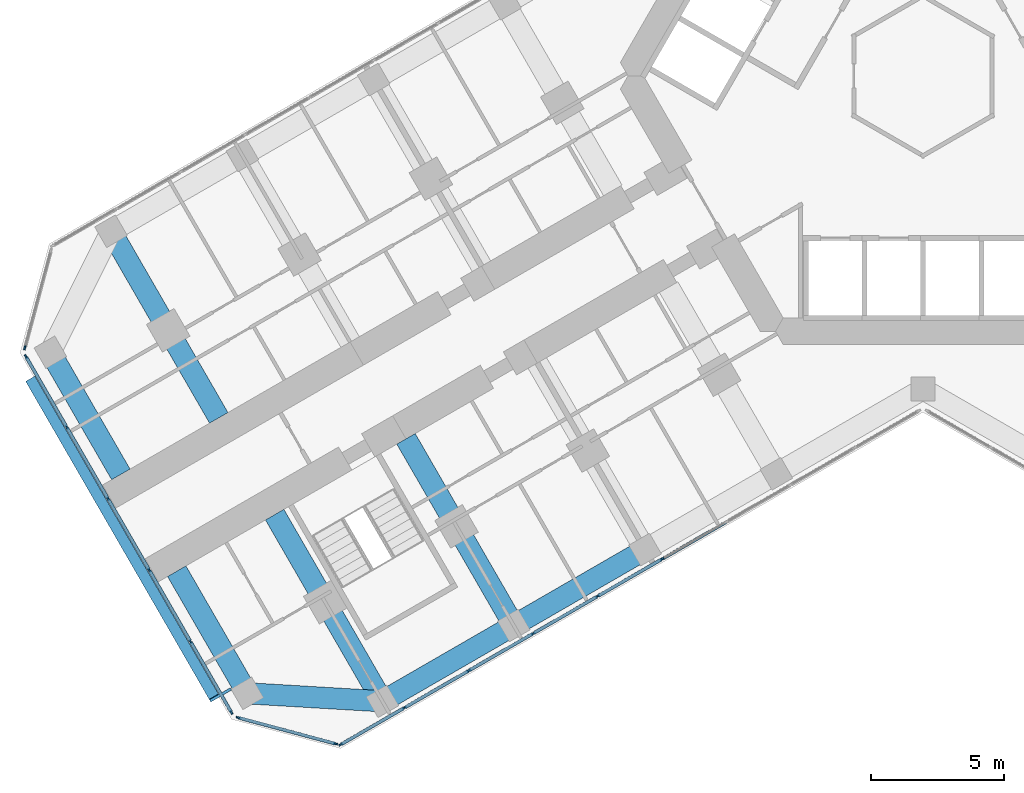
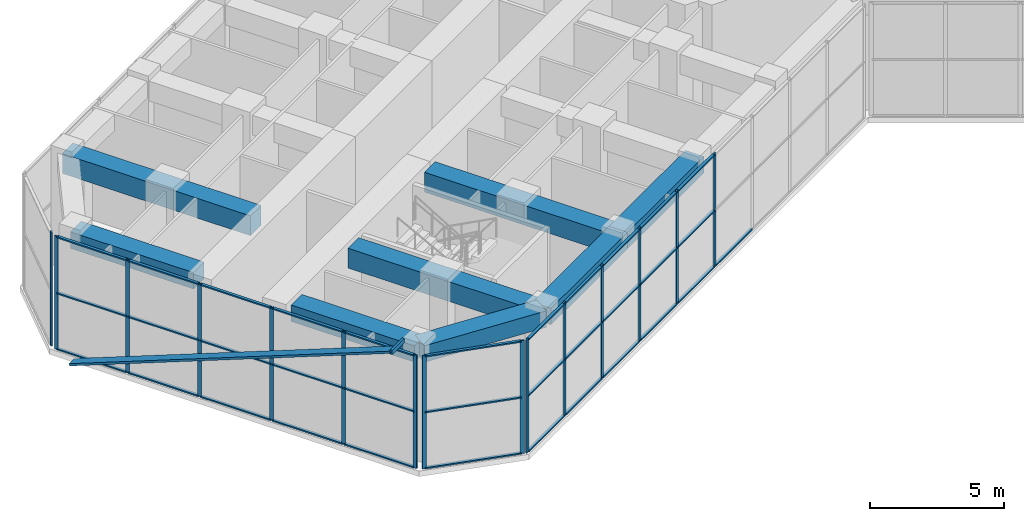
# One storey, part 2 of 23: 51 members, 8 beams, 4 elements without a shape of their own.
"""IFC4 building model written with IfcOpenShell, lengths in metres."""

from ifc_helpers import new_model, si_unit, direction, frame, origin, origin_2d, place, context, subcontext, project, spatial, rectangle, hollow_rectangle, extrude, material, material_profile, profile_set, type_object, element, aggregate, save


model = new_model("IFC4")

# Units and contexts
model_context = context("Model", 3, precision=1e-05, world=origin(), true_north=direction((0.0, 1.0)))
body_context = subcontext(model_context, "Body", "Model", "MODEL_VIEW")
ifc_project = project(units=[si_unit("LENGTHUNIT", "METRE"), si_unit("AREAUNIT", "SQUARE_METRE"), si_unit("VOLUMEUNIT", "CUBIC_METRE"), si_unit("PLANEANGLEUNIT", "RADIAN"), si_unit("MASSUNIT", "GRAM", prefix="KILO")], contexts=[model_context])

# Site, building, storey
site_placement = place(None, origin())
site = spatial("IfcSite", under=ifc_project, at=site_placement, CompositionType="ELEMENT")
building_placement = place(site_placement, origin())
building = spatial("IfcBuilding", under=site, at=building_placement, Name="Kosmar Iwan School Tower", CompositionType="ELEMENT")
storey_placement = place(building_placement, frame((0.0, 0.0, 75.39990234375)))
storey = spatial("IfcBuildingStorey", under=building, at=storey_placement, Name="L18", CompositionType="ELEMENT", Elevation=75.39990234375)

# Members
ifc_material_1 = material(Name="Black anodised aluminium", Category="aluminium")
ifc_material_profile_1 = material_profile(ifc_material_1, rectangle(XDim=0.10009765625, YDim=0.39990234375, at=origin_2d()), Name="FIN 100x400")
ifc_profile_set_1 = profile_set([ifc_material_profile_1], Name="Black anodised aluminium")
member_type_1 = type_object("IfcMemberType", Name="Diagonal fin 100x400", PredefinedType="USERDEFINED", material=ifc_profile_set_1)
member_1_placement = place(storey_placement, frame((-33.54345703125, -11.40087890625, -0.14990234375), z_axis=(0.465600718069, -0.806459003444, 0.364472011405), x_axis=(-0.182233479836, 0.315643479142, 0.931214343157)))
element("IfcMember", 1, at=member_1_placement, inside=storey, type_object=member_type_1, Name="Diagonal fin L18-F13", ObjectType="FIN", PredefinedType="USERDEFINED", context=body_context, shape_type="SweptSolid", body=[
    extrude(rectangle(XDim=0.10009765625, YDim=0.39990234375, at=origin_2d()), origin(), (0.0, 0.0, 1.0), 14.815673828125),
])
ifc_material_2 = material(Name="Steel S355", Category="steel")
ifc_material_profile_2 = material_profile(ifc_material_2, hollow_rectangle(XDim=0.10009765625, YDim=0.199951171875, WallThickness=0.008056640625, at=origin_2d()), Name="RHS 200x100x8")
ifc_profile_set_2 = profile_set([ifc_material_profile_2], Name="Steel S355")
member_type_2 = type_object("IfcMemberType", Name="Fin bracket RHS 200x100", PredefinedType="USERDEFINED", material=ifc_profile_set_2)
member_2_placement = place(storey_placement, frame((-26.01318359375, -23.0439453125, 5.275146484375), z_axis=(-0.866013897511, -0.50001992892, 0.0), x_axis=(0.50001992892, -0.866013897511, 0.0)))
element("IfcMember", 2, at=member_2_placement, inside=storey, type_object=member_type_2, Name="Fin bracket L19", ObjectType="FIN BRACKET", PredefinedType="USERDEFINED", context=body_context, shape_type="SweptSolid", body=[
    extrude(hollow_rectangle(XDim=0.10009765625, YDim=0.199951171875, WallThickness=0.008056640625, at=origin_2d()), origin(), (0.0, 0.0, 1.0), 0.89990234375),
])

# Curtain wall, members
ifc_material_3 = material(Name="Dark glass in black aluminium frame", Category="aluminium")
curtain_wall_type_1 = type_object("IfcCurtainWallType", Name="Winter garden curtain wall", PredefinedType="USERDEFINED", material=ifc_material_3)
curtain_wall_1_placement = place(storey_placement, origin())
curtain_wall_1 = element("IfcCurtainWall", 3, at=curtain_wall_1_placement, inside=storey, type_object=curtain_wall_type_1, Name="Curtain wall L18-F00", ObjectType="WINTER GARDEN CURTAIN WALL", PredefinedType="USERDEFINED")
ifc_material_4 = material(Name="Black anodised aluminium", Category="aluminium")
ifc_material_profile_3 = material_profile(ifc_material_4, rectangle(XDim=0.06005859375, YDim=0.159912109375, at=origin_2d()), Name="MULLION 60x160")
ifc_profile_set_3 = profile_set([ifc_material_profile_3], Name="Black anodised aluminium")
member_type_3 = type_object("IfcMemberType", Name="Mullion 60x160", PredefinedType="MULLION", material=ifc_profile_set_3)
member_3_placement = place(storey_placement, frame((-9.81396484375, -18.165771484375, 0.0), z_axis=(0.0, 0.0, 1.0), x_axis=(0.500000014888, -0.866025395189, 0.0)))
member_3 = element("IfcMember", 4, at=member_3_placement, type_object=member_type_3, Name="CW7 mullion 5", PredefinedType="MULLION", context=body_context, shape_type="SweptSolid", body=[
    extrude(rectangle(XDim=0.06005859375, YDim=0.159912109375, at=origin_2d()), origin(), (0.0, 0.0, 1.0), 5.150146484375),
])
member_4_placement = place(storey_placement, frame((-12.23291015625, -19.562255859375, 0.0), z_axis=(0.0, 0.0, 1.0), x_axis=(0.500000014888, -0.866025395189, 0.0)))
member_4 = element("IfcMember", 5, at=member_4_placement, type_object=member_type_3, Name="CW7 mullion 6", PredefinedType="MULLION", context=body_context, shape_type="SweptSolid", body=[
    extrude(rectangle(XDim=0.06005859375, YDim=0.159912109375, at=origin_2d()), origin(), (0.0, 0.0, 1.0), 5.150146484375),
])
member_5_placement = place(storey_placement, frame((-14.652099609375, -20.958984375, 0.0), z_axis=(0.0, 0.0, 1.0), x_axis=(0.500000014888, -0.866025395189, 0.0)))
member_5 = element("IfcMember", 6, at=member_5_placement, type_object=member_type_3, Name="CW7 mullion 7", PredefinedType="MULLION", context=body_context, shape_type="SweptSolid", body=[
    extrude(rectangle(XDim=0.06005859375, YDim=0.159912109375, at=origin_2d()), origin(), (0.0, 0.0, 1.0), 5.150146484375),
])
member_6_placement = place(storey_placement, frame((-17.071044921875, -22.35546875, 0.0), z_axis=(0.0, 0.0, 1.0), x_axis=(0.500000014888, -0.866025395189, 0.0)))
member_6 = element("IfcMember", 7, at=member_6_placement, type_object=member_type_3, Name="CW7 mullion 8", PredefinedType="MULLION", context=body_context, shape_type="SweptSolid", body=[
    extrude(rectangle(XDim=0.06005859375, YDim=0.159912109375, at=origin_2d()), origin(), (0.0, 0.0, 1.0), 5.150146484375),
])
member_7_placement = place(storey_placement, frame((-19.489990234375, -23.752197265625, 0.0), z_axis=(0.0, 0.0, 1.0), x_axis=(0.500000014888, -0.866025395189, 0.0)))
member_7 = element("IfcMember", 8, at=member_7_placement, type_object=member_type_3, Name="CW7 mullion 9", PredefinedType="MULLION", context=body_context, shape_type="SweptSolid", body=[
    extrude(rectangle(XDim=0.06005859375, YDim=0.159912109375, at=origin_2d()), origin(), (0.0, 0.0, 1.0), 5.150146484375),
])
member_8_placement = place(storey_placement, frame((-21.883056640625, -25.1337890625, 0.0), z_axis=(0.0, 0.0, 1.0), x_axis=(0.500000014888, -0.866025395189, 0.0)))
member_8 = element("IfcMember", 9, at=member_8_placement, type_object=member_type_3, Name="CW7 mullion 10", PredefinedType="MULLION", context=body_context, shape_type="SweptSolid", body=[
    extrude(rectangle(XDim=0.06005859375, YDim=0.159912109375, at=origin_2d()), origin(), (0.0, 0.0, 1.0), 5.150146484375),
])

# Curtain wall, member
ifc_material_5 = material(Name="Dark glass in black aluminium frame", Category="aluminium")
curtain_wall_type_2 = type_object("IfcCurtainWallType", Name="Chamfer curtain wall dark glass", PredefinedType="USERDEFINED", material=ifc_material_5)
curtain_wall_2_placement = place(storey_placement, origin())
curtain_wall_2 = element("IfcCurtainWall", 10, at=curtain_wall_2_placement, inside=storey, type_object=curtain_wall_type_2, Name="Curtain wall L18-F12", ObjectType="FACETED CURTAIN WALL", PredefinedType="USERDEFINED")
member_9_placement = place(storey_placement, frame((-33.7587890625, -10.2236328125, 0.0), z_axis=(0.0, 0.0, 1.0), x_axis=(0.965925875495, -0.258818861462, 0.0)))
member_9 = element("IfcMember", 11, at=member_9_placement, type_object=member_type_3, Name="CW2 mullion 2", PredefinedType="MULLION", context=body_context, shape_type="SweptSolid", body=[
    extrude(rectangle(XDim=0.06005859375, YDim=0.159912109375, at=origin_2d()), origin(), (0.0, 0.0, 1.0), 5.150146484375),
])
aggregate(curtain_wall_2, [member_9])

# Curtain wall, members
ifc_material_6 = material(Name="Dark glass in black aluminium frame", Category="aluminium")
curtain_wall_type_3 = type_object("IfcCurtainWallType", Name="Tower curtain wall dark glass", PredefinedType="USERDEFINED", material=ifc_material_6)
curtain_wall_3_placement = place(storey_placement, origin())
curtain_wall_3 = element("IfcCurtainWall", 12, at=curtain_wall_3_placement, inside=storey, type_object=curtain_wall_type_3, Name="Curtain wall L18-F13", ObjectType="UNITISED CURTAIN WALL", PredefinedType="USERDEFINED")
member_10_placement = place(storey_placement, frame((-33.71533203125, -10.55322265625, 0.0), z_axis=(0.0, 0.0, 1.0), x_axis=(0.866025405329, 0.499999997325, 0.0)))
member_10 = element("IfcMember", 13, at=member_10_placement, type_object=member_type_3, Name="CW1 mullion 1", PredefinedType="MULLION", context=body_context, shape_type="SweptSolid", body=[
    extrude(rectangle(XDim=0.06005859375, YDim=0.159912109375, at=origin_2d()), origin(), (0.0, 0.0, 1.0), 5.150146484375),
])
member_11_placement = place(storey_placement, frame((-32.1806640625, -13.21142578125, 0.0), z_axis=(0.0, 0.0, 1.0), x_axis=(0.866025405329, 0.499999997325, 0.0)))
member_11 = element("IfcMember", 14, at=member_11_placement, type_object=member_type_3, Name="CW1 mullion 2", PredefinedType="MULLION", context=body_context, shape_type="SweptSolid", body=[
    extrude(rectangle(XDim=0.06005859375, YDim=0.159912109375, at=origin_2d()), origin(), (0.0, 0.0, 1.0), 5.150146484375),
])
member_12_placement = place(storey_placement, frame((-30.631103515625, -15.8955078125, 0.0), z_axis=(0.0, 0.0, 1.0), x_axis=(0.866025405329, 0.499999997325, 0.0)))
member_12 = element("IfcMember", 15, at=member_12_placement, type_object=member_type_3, Name="CW1 mullion 3", PredefinedType="MULLION", context=body_context, shape_type="SweptSolid", body=[
    extrude(rectangle(XDim=0.06005859375, YDim=0.159912109375, at=origin_2d()), origin(), (0.0, 0.0, 1.0), 5.150146484375),
])
member_13_placement = place(storey_placement, frame((-29.081298828125, -18.57958984375, 0.0), z_axis=(0.0, 0.0, 1.0), x_axis=(0.866025405329, 0.499999997325, 0.0)))
member_13 = element("IfcMember", 16, at=member_13_placement, type_object=member_type_3, Name="CW1 mullion 4", PredefinedType="MULLION", context=body_context, shape_type="SweptSolid", body=[
    extrude(rectangle(XDim=0.06005859375, YDim=0.159912109375, at=origin_2d()), origin(), (0.0, 0.0, 1.0), 5.150146484375),
])
member_14_placement = place(storey_placement, frame((-27.53173828125, -21.263671875, 0.0), z_axis=(0.0, 0.0, 1.0), x_axis=(0.866025405329, 0.499999997325, 0.0)))
member_14 = element("IfcMember", 17, at=member_14_placement, type_object=member_type_3, Name="CW1 mullion 5", PredefinedType="MULLION", context=body_context, shape_type="SweptSolid", body=[
    extrude(rectangle(XDim=0.06005859375, YDim=0.159912109375, at=origin_2d()), origin(), (0.0, 0.0, 1.0), 5.150146484375),
])
member_15_placement = place(storey_placement, frame((-25.9970703125, -23.921630859375, 0.0), z_axis=(0.0, 0.0, 1.0), x_axis=(0.866025405329, 0.499999997325, 0.0)))
member_15 = element("IfcMember", 18, at=member_15_placement, type_object=member_type_3, Name="CW1 mullion 6", PredefinedType="MULLION", context=body_context, shape_type="SweptSolid", body=[
    extrude(rectangle(XDim=0.06005859375, YDim=0.159912109375, at=origin_2d()), origin(), (0.0, 0.0, 1.0), 5.150146484375),
])

curtain_wall_4_placement = place(storey_placement, origin())
curtain_wall_4 = element("IfcCurtainWall", 19, at=curtain_wall_4_placement, inside=storey, type_object=curtain_wall_type_2, Name="Curtain wall L18-F14", ObjectType="FACETED CURTAIN WALL", PredefinedType="USERDEFINED")
member_16_placement = place(storey_placement, frame((-25.733154296875, -24.124267578125, 0.0), z_axis=(0.0, 0.0, 1.0), x_axis=(0.258818861462, 0.965925875495, 0.0)))
member_16 = element("IfcMember", 20, at=member_16_placement, type_object=member_type_3, Name="CW2 mullion 1", PredefinedType="MULLION", context=body_context, shape_type="SweptSolid", body=[
    extrude(rectangle(XDim=0.06005859375, YDim=0.159912109375, at=origin_2d()), origin(), (0.0, 0.0, 1.0), 5.150146484375),
])
member_17_placement = place(storey_placement, frame((-22.0830078125, -25.102294921875, 0.0), z_axis=(0.0, 0.0, 1.0), x_axis=(0.258818861462, 0.965925875495, 0.0)))
member_17 = element("IfcMember", 21, at=member_17_placement, type_object=member_type_3, Name="CW2 mullion 2", PredefinedType="MULLION", context=body_context, shape_type="SweptSolid", body=[
    extrude(rectangle(XDim=0.06005859375, YDim=0.159912109375, at=origin_2d()), origin(), (0.0, 0.0, 1.0), 5.150146484375),
])

# Beams
ifc_material_7 = material(Name="Concrete C50/60", Category="concrete")
ifc_material_profile_4 = material_profile(ifc_material_7, rectangle(XDim=0.800048828125, YDim=0.75, at=origin_2d()), Name="RC 800x750")
ifc_profile_set_4 = profile_set([ifc_material_profile_4], Name="Concrete C50/60")
beam_type_1 = type_object("IfcBeamType", Name="RC edge beam 800x750", PredefinedType="BEAM", material=ifc_profile_set_4)
beam_1_placement = place(storey_placement, frame((-10.445068359375, -17.808349609375, 4.775146484375), z_axis=(-0.866025820012, -0.499999279071, 0.0), x_axis=(0.499999279071, -0.866025820012, 0.0)))
element("IfcBeam", 22, at=beam_1_placement, inside=storey, type_object=beam_type_1, Name="Edge beam BL3", PredefinedType="BEAM", context=body_context, shape_type="SweptSolid", body=[
    extrude(rectangle(XDim=0.800048828125, YDim=0.75, at=origin_2d()), origin(), (0.0, 0.0, 1.0), 5.7001953125),
])
beam_2_placement = place(storey_placement, frame((-15.381591796875, -20.658447265625, 4.775146484375), z_axis=(-0.866015111908, -0.50001782563, 0.0), x_axis=(0.50001782563, -0.866015111908, 0.0)))
element("IfcBeam", 23, at=beam_2_placement, inside=storey, type_object=beam_type_1, Name="Edge beam BL4", PredefinedType="BEAM", context=body_context, shape_type="SweptSolid", body=[
    extrude(rectangle(XDim=0.800048828125, YDim=0.75, at=origin_2d()), origin(), (0.0, 0.0, 1.0), 5.699951171875),
])
ifc_material_8 = material(Name="Concrete C50/60", Category="concrete")
ifc_material_profile_5 = material_profile(ifc_material_8, rectangle(XDim=0.800048828125, YDim=0.75, at=origin_2d()), Name="RC 800x750")
ifc_profile_set_5 = profile_set([ifc_material_profile_5], Name="Concrete C50/60")
beam_type_2 = type_object("IfcBeamType", Name="RC tip beam 800x750", PredefinedType="BEAM", material=ifc_profile_set_5)
beam_3_placement = place(storey_placement, frame((-20.31787109375, -23.508544921875, 4.775146484375), z_axis=(-0.998260616478, 0.058955420358, 0.0), x_axis=(-0.058955420358, -0.998260616478, 0.0)))
element("IfcBeam", 24, at=beam_3_placement, inside=storey, type_object=beam_type_2, Name="Tip beam BL", PredefinedType="BEAM", context=body_context, shape_type="SweptSolid", body=[
    extrude(rectangle(XDim=0.800048828125, YDim=0.75, at=origin_2d()), origin(), (0.0, 0.0, 1.0), 5.08935546875),
])
beam_4_placement = place(storey_placement, frame((-25.3984375, -23.20849609375, 4.775146484375), z_axis=(-0.499993606316, 0.866029095148, 0.0), x_axis=(-0.866029095148, -0.499993606316, 0.0)))
element("IfcBeam", 25, at=beam_4_placement, inside=storey, type_object=beam_type_2, Name="Tip beam BL to corridor wall", PredefinedType="BEAM", context=body_context, shape_type="SweptSolid", body=[
    extrude(rectangle(XDim=0.800048828125, YDim=0.75, at=origin_2d()), origin(), (0.0, 0.0, 1.0), 5.2998046875),
])
beam_5_placement = place(storey_placement, frame((-32.79833984375, -10.391357421875, 4.775146484375), z_axis=(0.499973660256, -0.866040610509, 0.0), x_axis=(0.866040610509, 0.499973660256, 0.0)))
element("IfcBeam", 26, at=beam_5_placement, inside=storey, type_object=beam_type_2, Name="Tip beam BR to corridor wall", PredefinedType="BEAM", context=body_context, shape_type="SweptSolid", body=[
    extrude(rectangle(XDim=0.800048828125, YDim=0.75, at=origin_2d()), origin(), (0.0, 0.0, 1.0), 5.300048828125),
])
ifc_material_9 = material(Name="Concrete C50/60", Category="concrete")
ifc_material_profile_6 = material_profile(ifc_material_9, rectangle(XDim=0.800048828125, YDim=0.89990234375, at=origin_2d()), Name="RC 800x900")
ifc_profile_set_6 = profile_set([ifc_material_profile_6], Name="Concrete C50/60")
beam_type_3 = type_object("IfcBeamType", Name="RC transverse beam 800x900", PredefinedType="BEAM", material=ifc_profile_set_6)
for number, where, z_axis, x_axis, name in (
    (27, (-15.381591796875, -20.658447265625, 4.7001953125), (-0.499977274689, 0.866038523851, 0.0), (-0.866038523851, -0.499977274689, 0.0), "Transverse beam BL3"),
    (28, (-20.31787109375, -23.508544921875, 4.7001953125), (-0.499999880539, 0.866025472755, 0.0), (-0.866025472755, -0.499999880539, 0.0), "Transverse beam BL4"),
    (29, (-30.517822265625, -5.841552734375, 4.7001953125), (0.499999880539, -0.866025472755, 0.0), (0.866025472755, 0.499999880539, 0.0), "Transverse beam BR4"),
):
    element("IfcBeam", number, at=place(storey_placement, frame(where, z_axis=z_axis, x_axis=x_axis)), inside=storey, type_object=beam_type_3, Name=name, PredefinedType="BEAM", context=body_context, shape_type="SweptSolid", body=[
        extrude(rectangle(XDim=0.800048828125, YDim=0.89990234375, at=origin_2d()), origin(), (0.0, 0.0, 1.0), 8.10009765625),
    ])

# Member
ifc_material_10 = material(Name="Black anodised aluminium", Category="aluminium")
ifc_material_profile_7 = material_profile(ifc_material_10, rectangle(XDim=0.1201171875, YDim=0.06005859375, at=origin_2d()), Name="TRANSOM 60x120")
ifc_profile_set_7 = profile_set([ifc_material_profile_7], Name="Black anodised aluminium")
member_type_4 = type_object("IfcMemberType", Name="Transom 60x120", PredefinedType="USERDEFINED", material=ifc_profile_set_7)
member_18_placement = place(storey_placement, frame((-7.4208984375, -16.7841796875, 0.030029296875), z_axis=(-0.866041295585, -0.499972473583, 0.0), x_axis=(0.499972473583, -0.866041295585, 0.0)))
member_18 = element("IfcMember", 30, at=member_18_placement, type_object=member_type_4, Name="CW7 transom 4.1", ObjectType="TRANSOM", PredefinedType="USERDEFINED", context=body_context, shape_type="SweptSolid", body=[
    extrude(rectangle(XDim=0.1201171875, YDim=0.06005859375, at=origin_2d()), origin(), (0.0, 0.0, 1.0), 2.733154296875),
])

member_19_placement = place(storey_placement, frame((-9.83984375, -18.1806640625, 0.030029296875), z_axis=(-0.8660249478, -0.500000789788, 0.0), x_axis=(0.500000789788, -0.8660249478, 0.0)))
member_19 = element("IfcMember", 31, at=member_19_placement, type_object=member_type_4, Name="CW7 transom 5.1", ObjectType="TRANSOM", PredefinedType="USERDEFINED", context=body_context, shape_type="SweptSolid", body=[
    extrude(rectangle(XDim=0.1201171875, YDim=0.06005859375, at=origin_2d()), origin(), (0.0, 0.0, 1.0), 2.7333984375),
])

member_20_placement = place(storey_placement, frame((-9.83984375, -18.1806640625, 2.5751953125), z_axis=(-0.8660249478, -0.500000789788, 0.0), x_axis=(0.500000789788, -0.8660249478, 0.0)))
member_20 = element("IfcMember", 32, at=member_20_placement, type_object=member_type_4, Name="CW7 transom 5.2", ObjectType="TRANSOM", PredefinedType="USERDEFINED", context=body_context, shape_type="SweptSolid", body=[
    extrude(rectangle(XDim=0.1201171875, YDim=0.06005859375, at=origin_2d()), origin(), (0.0, 0.0, 1.0), 2.7333984375),
])

member_21_placement = place(storey_placement, frame((-9.83984375, -18.1806640625, 5.1201171875), z_axis=(-0.8660249478, -0.500000789788, 0.0), x_axis=(0.500000789788, -0.8660249478, 0.0)))
member_21 = element("IfcMember", 33, at=member_21_placement, type_object=member_type_4, Name="CW7 transom 5.3", ObjectType="TRANSOM", PredefinedType="USERDEFINED", context=body_context, shape_type="SweptSolid", body=[
    extrude(rectangle(XDim=0.1201171875, YDim=0.06005859375, at=origin_2d()), origin(), (0.0, 0.0, 1.0), 2.7333984375),
])

member_22_placement = place(storey_placement, frame((-12.259033203125, -19.577392578125, 0.030029296875), z_axis=(-0.866041295585, -0.499972473583, 0.0), x_axis=(0.499972473583, -0.866041295585, 0.0)))
member_22 = element("IfcMember", 34, at=member_22_placement, type_object=member_type_4, Name="CW7 transom 6.1", ObjectType="TRANSOM", PredefinedType="USERDEFINED", context=body_context, shape_type="SweptSolid", body=[
    extrude(rectangle(XDim=0.1201171875, YDim=0.06005859375, at=origin_2d()), origin(), (0.0, 0.0, 1.0), 2.733154296875),
])

member_23_placement = place(storey_placement, frame((-12.259033203125, -19.577392578125, 2.5751953125), z_axis=(-0.866041295585, -0.499972473583, 0.0), x_axis=(0.499972473583, -0.866041295585, 0.0)))
member_23 = element("IfcMember", 35, at=member_23_placement, type_object=member_type_4, Name="CW7 transom 6.2", ObjectType="TRANSOM", PredefinedType="USERDEFINED", context=body_context, shape_type="SweptSolid", body=[
    extrude(rectangle(XDim=0.1201171875, YDim=0.06005859375, at=origin_2d()), origin(), (0.0, 0.0, 1.0), 2.733154296875),
])

member_24_placement = place(storey_placement, frame((-12.259033203125, -19.577392578125, 5.1201171875), z_axis=(-0.866041295585, -0.499972473583, 0.0), x_axis=(0.499972473583, -0.866041295585, 0.0)))
member_24 = element("IfcMember", 36, at=member_24_placement, type_object=member_type_4, Name="CW7 transom 6.3", ObjectType="TRANSOM", PredefinedType="USERDEFINED", context=body_context, shape_type="SweptSolid", body=[
    extrude(rectangle(XDim=0.1201171875, YDim=0.06005859375, at=origin_2d()), origin(), (0.0, 0.0, 1.0), 2.733154296875),
])

member_25_placement = place(storey_placement, frame((-14.677978515625, -20.973876953125, 0.030029296875), z_axis=(-0.866002615699, -0.500039468044, 0.0), x_axis=(0.500039468044, -0.866002615699, 0.0)))
member_25 = element("IfcMember", 37, at=member_25_placement, type_object=member_type_4, Name="CW7 transom 7.1", ObjectType="TRANSOM", PredefinedType="USERDEFINED", context=body_context, shape_type="SweptSolid", body=[
    extrude(rectangle(XDim=0.1201171875, YDim=0.06005859375, at=origin_2d()), origin(), (0.0, 0.0, 1.0), 2.733154296875),
])

member_26_placement = place(storey_placement, frame((-14.677978515625, -20.973876953125, 2.5751953125), z_axis=(-0.866002615699, -0.500039468044, 0.0), x_axis=(0.500039468044, -0.866002615699, 0.0)))
member_26 = element("IfcMember", 38, at=member_26_placement, type_object=member_type_4, Name="CW7 transom 7.2", ObjectType="TRANSOM", PredefinedType="USERDEFINED", context=body_context, shape_type="SweptSolid", body=[
    extrude(rectangle(XDim=0.1201171875, YDim=0.06005859375, at=origin_2d()), origin(), (0.0, 0.0, 1.0), 2.733154296875),
])

member_27_placement = place(storey_placement, frame((-14.677978515625, -20.973876953125, 5.1201171875), z_axis=(-0.866002615699, -0.500039468044, 0.0), x_axis=(0.500039468044, -0.866002615699, 0.0)))
member_27 = element("IfcMember", 39, at=member_27_placement, type_object=member_type_4, Name="CW7 transom 7.3", ObjectType="TRANSOM", PredefinedType="USERDEFINED", context=body_context, shape_type="SweptSolid", body=[
    extrude(rectangle(XDim=0.1201171875, YDim=0.06005859375, at=origin_2d()), origin(), (0.0, 0.0, 1.0), 2.733154296875),
])

member_28_placement = place(storey_placement, frame((-17.096923828125, -22.37060546875, 0.030029296875), z_axis=(-0.8660249478, -0.500000789788, 0.0), x_axis=(0.500000789788, -0.8660249478, 0.0)))
member_28 = element("IfcMember", 40, at=member_28_placement, type_object=member_type_4, Name="CW7 transom 8.1", ObjectType="TRANSOM", PredefinedType="USERDEFINED", context=body_context, shape_type="SweptSolid", body=[
    extrude(rectangle(XDim=0.1201171875, YDim=0.06005859375, at=origin_2d()), origin(), (0.0, 0.0, 1.0), 2.7333984375),
])

member_29_placement = place(storey_placement, frame((-17.096923828125, -22.37060546875, 2.5751953125), z_axis=(-0.8660249478, -0.500000789788, 0.0), x_axis=(0.500000789788, -0.8660249478, 0.0)))
member_29 = element("IfcMember", 41, at=member_29_placement, type_object=member_type_4, Name="CW7 transom 8.2", ObjectType="TRANSOM", PredefinedType="USERDEFINED", context=body_context, shape_type="SweptSolid", body=[
    extrude(rectangle(XDim=0.1201171875, YDim=0.06005859375, at=origin_2d()), origin(), (0.0, 0.0, 1.0), 2.7333984375),
])

member_30_placement = place(storey_placement, frame((-17.096923828125, -22.37060546875, 5.1201171875), z_axis=(-0.8660249478, -0.500000789788, 0.0), x_axis=(0.500000789788, -0.8660249478, 0.0)))
member_30 = element("IfcMember", 42, at=member_30_placement, type_object=member_type_4, Name="CW7 transom 8.3", ObjectType="TRANSOM", PredefinedType="USERDEFINED", context=body_context, shape_type="SweptSolid", body=[
    extrude(rectangle(XDim=0.1201171875, YDim=0.06005859375, at=origin_2d()), origin(), (0.0, 0.0, 1.0), 2.7333984375),
])

member_31_placement = place(storey_placement, frame((-19.51611328125, -23.76708984375, 0.030029296875), z_axis=(-0.865994576166, -0.500053391201, 0.0), x_axis=(0.500053391201, -0.865994576166, 0.0)))
member_31 = element("IfcMember", 43, at=member_31_placement, type_object=member_type_4, Name="CW7 transom 9.1", ObjectType="TRANSOM", PredefinedType="USERDEFINED", context=body_context, shape_type="SweptSolid", body=[
    extrude(rectangle(XDim=0.1201171875, YDim=0.06005859375, at=origin_2d()), origin(), (0.0, 0.0, 1.0), 2.703369140625),
])

member_32_placement = place(storey_placement, frame((-19.51611328125, -23.76708984375, 2.5751953125), z_axis=(-0.865994576166, -0.500053391201, 0.0), x_axis=(0.500053391201, -0.865994576166, 0.0)))
member_32 = element("IfcMember", 44, at=member_32_placement, type_object=member_type_4, Name="CW7 transom 9.2", ObjectType="TRANSOM", PredefinedType="USERDEFINED", context=body_context, shape_type="SweptSolid", body=[
    extrude(rectangle(XDim=0.1201171875, YDim=0.06005859375, at=origin_2d()), origin(), (0.0, 0.0, 1.0), 2.703369140625),
])

member_33_placement = place(storey_placement, frame((-19.51611328125, -23.76708984375, 5.1201171875), z_axis=(-0.865994576166, -0.500053391201, 0.0), x_axis=(0.500053391201, -0.865994576166, 0.0)))
member_33 = element("IfcMember", 45, at=member_33_placement, type_object=member_type_4, Name="CW7 transom 9.3", ObjectType="TRANSOM", PredefinedType="USERDEFINED", context=body_context, shape_type="SweptSolid", body=[
    extrude(rectangle(XDim=0.1201171875, YDim=0.06005859375, at=origin_2d()), origin(), (0.0, 0.0, 1.0), 2.703369140625),
])

aggregate(curtain_wall_1, [member_3, member_4, member_5, member_6, member_7, member_8, member_18, member_19, member_20, member_21, member_22, member_23, member_24, member_25, member_26, member_27, member_28, member_29, member_30, member_31, member_32, member_33])

member_34_placement = place(storey_placement, frame((-33.700439453125, -10.579345703125, 0.030029296875), z_axis=(0.500022102064, -0.866012642776, 0.0), x_axis=(0.866012642776, 0.500022102064, 0.0)))
member_34 = element("IfcMember", 46, at=member_34_placement, type_object=member_type_4, Name="CW1 transom 1.1", ObjectType="TRANSOM", PredefinedType="USERDEFINED", context=body_context, shape_type="SweptSolid", body=[
    extrude(rectangle(XDim=0.1201171875, YDim=0.06005859375, at=origin_2d()), origin(), (0.0, 0.0, 1.0), 3.009033203125),
])

member_35_placement = place(storey_placement, frame((-33.700439453125, -10.579345703125, 2.5751953125), z_axis=(0.500022102064, -0.866012642776, 0.0), x_axis=(0.866012642776, 0.500022102064, 0.0)))
member_35 = element("IfcMember", 47, at=member_35_placement, type_object=member_type_4, Name="CW1 transom 1.2", ObjectType="TRANSOM", PredefinedType="USERDEFINED", context=body_context, shape_type="SweptSolid", body=[
    extrude(rectangle(XDim=0.1201171875, YDim=0.06005859375, at=origin_2d()), origin(), (0.0, 0.0, 1.0), 3.009033203125),
])

member_36_placement = place(storey_placement, frame((-33.700439453125, -10.579345703125, 5.1201171875), z_axis=(0.500022102064, -0.866012642776, 0.0), x_axis=(0.866012642776, 0.500022102064, 0.0)))
member_36 = element("IfcMember", 48, at=member_36_placement, type_object=member_type_4, Name="CW1 transom 1.3", ObjectType="TRANSOM", PredefinedType="USERDEFINED", context=body_context, shape_type="SweptSolid", body=[
    extrude(rectangle(XDim=0.1201171875, YDim=0.06005859375, at=origin_2d()), origin(), (0.0, 0.0, 1.0), 3.009033203125),
])

member_37_placement = place(storey_placement, frame((-32.165771484375, -13.2373046875, 0.030029296875), z_axis=(0.500035348339, -0.866004994449, 0.0), x_axis=(0.866004994449, 0.500035348339, 0.0)))
member_37 = element("IfcMember", 49, at=member_37_placement, type_object=member_type_4, Name="CW1 transom 2.1", ObjectType="TRANSOM", PredefinedType="USERDEFINED", context=body_context, shape_type="SweptSolid", body=[
    extrude(rectangle(XDim=0.1201171875, YDim=0.06005859375, at=origin_2d()), origin(), (0.0, 0.0, 1.0), 3.039306640625),
])

member_38_placement = place(storey_placement, frame((-32.165771484375, -13.2373046875, 2.5751953125), z_axis=(0.500035348339, -0.866004994449, 0.0), x_axis=(0.866004994449, 0.500035348339, 0.0)))
member_38 = element("IfcMember", 50, at=member_38_placement, type_object=member_type_4, Name="CW1 transom 2.2", ObjectType="TRANSOM", PredefinedType="USERDEFINED", context=body_context, shape_type="SweptSolid", body=[
    extrude(rectangle(XDim=0.1201171875, YDim=0.06005859375, at=origin_2d()), origin(), (0.0, 0.0, 1.0), 3.039306640625),
])

member_39_placement = place(storey_placement, frame((-32.165771484375, -13.2373046875, 5.1201171875), z_axis=(0.500035348339, -0.866004994449, 0.0), x_axis=(0.866004994449, 0.500035348339, 0.0)))
member_39 = element("IfcMember", 51, at=member_39_placement, type_object=member_type_4, Name="CW1 transom 2.3", ObjectType="TRANSOM", PredefinedType="USERDEFINED", context=body_context, shape_type="SweptSolid", body=[
    extrude(rectangle(XDim=0.1201171875, YDim=0.06005859375, at=origin_2d()), origin(), (0.0, 0.0, 1.0), 3.039306640625),
])

member_40_placement = place(storey_placement, frame((-30.615966796875, -15.92138671875, 0.030029296875), z_axis=(0.499975102327, -0.866039777986, 0.0), x_axis=(0.866039777986, 0.499975102327, 0.0)))
member_40 = element("IfcMember", 52, at=member_40_placement, type_object=member_type_4, Name="CW1 transom 3.1", ObjectType="TRANSOM", PredefinedType="USERDEFINED", context=body_context, shape_type="SweptSolid", body=[
    extrude(rectangle(XDim=0.1201171875, YDim=0.06005859375, at=origin_2d()), origin(), (0.0, 0.0, 1.0), 3.039306640625),
])

member_41_placement = place(storey_placement, frame((-30.615966796875, -15.92138671875, 2.5751953125), z_axis=(0.499975102327, -0.866039777986, 0.0), x_axis=(0.866039777986, 0.499975102327, 0.0)))
member_41 = element("IfcMember", 53, at=member_41_placement, type_object=member_type_4, Name="CW1 transom 3.2", ObjectType="TRANSOM", PredefinedType="USERDEFINED", context=body_context, shape_type="SweptSolid", body=[
    extrude(rectangle(XDim=0.1201171875, YDim=0.06005859375, at=origin_2d()), origin(), (0.0, 0.0, 1.0), 3.039306640625),
])

member_42_placement = place(storey_placement, frame((-30.615966796875, -15.92138671875, 5.1201171875), z_axis=(0.499975102327, -0.866039777986, 0.0), x_axis=(0.866039777986, 0.499975102327, 0.0)))
member_42 = element("IfcMember", 54, at=member_42_placement, type_object=member_type_4, Name="CW1 transom 3.3", ObjectType="TRANSOM", PredefinedType="USERDEFINED", context=body_context, shape_type="SweptSolid", body=[
    extrude(rectangle(XDim=0.1201171875, YDim=0.06005859375, at=origin_2d()), origin(), (0.0, 0.0, 1.0), 3.039306640625),
])

member_43_placement = place(storey_placement, frame((-29.06640625, -18.60546875, 0.030029296875), z_axis=(0.499975102327, -0.866039777986, 0.0), x_axis=(0.866039777986, 0.499975102327, 0.0)))
member_43 = element("IfcMember", 55, at=member_43_placement, type_object=member_type_4, Name="CW1 transom 4.1", ObjectType="TRANSOM", PredefinedType="USERDEFINED", context=body_context, shape_type="SweptSolid", body=[
    extrude(rectangle(XDim=0.1201171875, YDim=0.06005859375, at=origin_2d()), origin(), (0.0, 0.0, 1.0), 3.039306640625),
])

member_44_placement = place(storey_placement, frame((-29.06640625, -18.60546875, 2.5751953125), z_axis=(0.499975102327, -0.866039777986, 0.0), x_axis=(0.866039777986, 0.499975102327, 0.0)))
member_44 = element("IfcMember", 56, at=member_44_placement, type_object=member_type_4, Name="CW1 transom 4.2", ObjectType="TRANSOM", PredefinedType="USERDEFINED", context=body_context, shape_type="SweptSolid", body=[
    extrude(rectangle(XDim=0.1201171875, YDim=0.06005859375, at=origin_2d()), origin(), (0.0, 0.0, 1.0), 3.039306640625),
])

member_45_placement = place(storey_placement, frame((-29.06640625, -18.60546875, 5.1201171875), z_axis=(0.499975102327, -0.866039777986, 0.0), x_axis=(0.866039777986, 0.499975102327, 0.0)))
member_45 = element("IfcMember", 57, at=member_45_placement, type_object=member_type_4, Name="CW1 transom 4.3", ObjectType="TRANSOM", PredefinedType="USERDEFINED", context=body_context, shape_type="SweptSolid", body=[
    extrude(rectangle(XDim=0.1201171875, YDim=0.06005859375, at=origin_2d()), origin(), (0.0, 0.0, 1.0), 3.039306640625),
])

member_46_placement = place(storey_placement, frame((-27.516845703125, -21.28955078125, 0.030029296875), z_axis=(0.499986971506, -0.866032925658, 0.0), x_axis=(0.866032925658, 0.499986971506, 0.0)))
member_46 = element("IfcMember", 58, at=member_46_placement, type_object=member_type_4, Name="CW1 transom 5.1", ObjectType="TRANSOM", PredefinedType="USERDEFINED", context=body_context, shape_type="SweptSolid", body=[
    extrude(rectangle(XDim=0.1201171875, YDim=0.06005859375, at=origin_2d()), origin(), (0.0, 0.0, 1.0), 3.00927734375),
])

member_47_placement = place(storey_placement, frame((-27.516845703125, -21.28955078125, 2.5751953125), z_axis=(0.499986971506, -0.866032925658, 0.0), x_axis=(0.866032925658, 0.499986971506, 0.0)))
member_47 = element("IfcMember", 59, at=member_47_placement, type_object=member_type_4, Name="CW1 transom 5.2", ObjectType="TRANSOM", PredefinedType="USERDEFINED", context=body_context, shape_type="SweptSolid", body=[
    extrude(rectangle(XDim=0.1201171875, YDim=0.06005859375, at=origin_2d()), origin(), (0.0, 0.0, 1.0), 3.00927734375),
])

member_48_placement = place(storey_placement, frame((-27.516845703125, -21.28955078125, 5.1201171875), z_axis=(0.499986971506, -0.866032925658, 0.0), x_axis=(0.866032925658, 0.499986971506, 0.0)))
member_48 = element("IfcMember", 60, at=member_48_placement, type_object=member_type_4, Name="CW1 transom 5.3", ObjectType="TRANSOM", PredefinedType="USERDEFINED", context=body_context, shape_type="SweptSolid", body=[
    extrude(rectangle(XDim=0.1201171875, YDim=0.06005859375, at=origin_2d()), origin(), (0.0, 0.0, 1.0), 3.00927734375),
])

aggregate(curtain_wall_3, [member_10, member_11, member_12, member_13, member_14, member_15, member_34, member_35, member_36, member_37, member_38, member_39, member_40, member_41, member_42, member_43, member_44, member_45, member_46, member_47, member_48])

member_49_placement = place(storey_placement, frame((-25.704345703125, -24.1318359375, 0.030029296875), z_axis=(0.965923731726, -0.258826861991, 0.0), x_axis=(0.258826861991, 0.965923731726, 0.0)))
member_49 = element("IfcMember", 61, at=member_49_placement, type_object=member_type_4, Name="CW2 transom 1.1", ObjectType="TRANSOM", PredefinedType="USERDEFINED", context=body_context, shape_type="SweptSolid", body=[
    extrude(rectangle(XDim=0.1201171875, YDim=0.06005859375, at=origin_2d()), origin(), (0.0, 0.0, 1.0), 3.71923828125),
])

member_50_placement = place(storey_placement, frame((-25.704345703125, -24.1318359375, 2.5751953125), z_axis=(0.965923731726, -0.258826861991, 0.0), x_axis=(0.258826861991, 0.965923731726, 0.0)))
member_50 = element("IfcMember", 62, at=member_50_placement, type_object=member_type_4, Name="CW2 transom 1.2", ObjectType="TRANSOM", PredefinedType="USERDEFINED", context=body_context, shape_type="SweptSolid", body=[
    extrude(rectangle(XDim=0.1201171875, YDim=0.06005859375, at=origin_2d()), origin(), (0.0, 0.0, 1.0), 3.71923828125),
])

member_51_placement = place(storey_placement, frame((-25.704345703125, -24.1318359375, 5.1201171875), z_axis=(0.965923731726, -0.258826861991, 0.0), x_axis=(0.258826861991, 0.965923731726, 0.0)))
member_51 = element("IfcMember", 63, at=member_51_placement, type_object=member_type_4, Name="CW2 transom 1.3", ObjectType="TRANSOM", PredefinedType="USERDEFINED", context=body_context, shape_type="SweptSolid", body=[
    extrude(rectangle(XDim=0.1201171875, YDim=0.06005859375, at=origin_2d()), origin(), (0.0, 0.0, 1.0), 3.71923828125),
])

aggregate(curtain_wall_4, [member_16, member_17, member_49, member_50, member_51])

save(model, "model.ifc")
